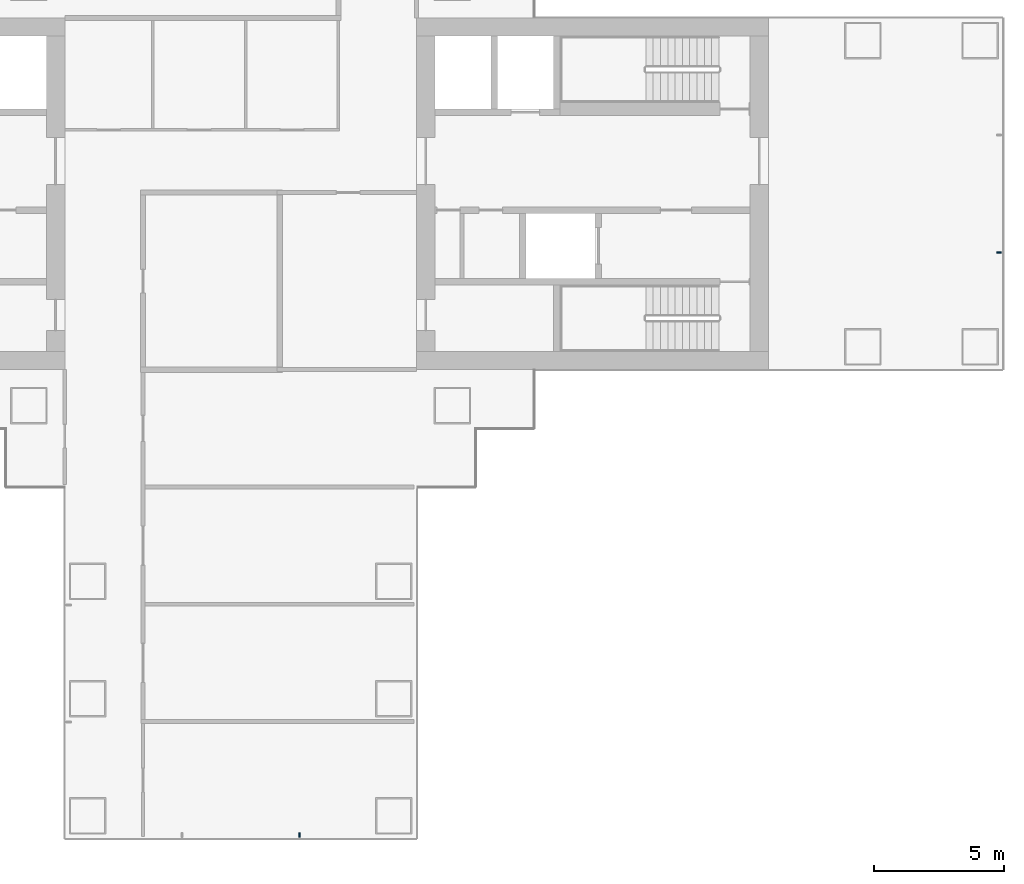
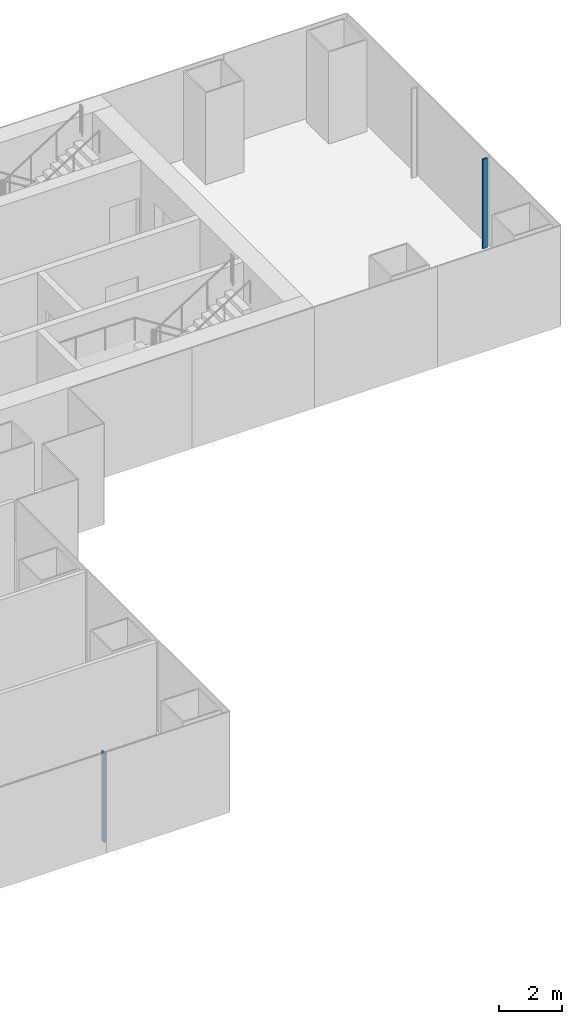
# One storey, part 7 of 21: 2 members, 2 elements without a shape of their own.
"""IFC4 building model written with IfcOpenShell, lengths in metres."""

from ifc_helpers import new_model, si_unit, direction, frame, origin, origin_2d, place, context, subcontext, project, spatial, rectangle, extrude, material, layer, layer_set, material_profile, profile_set, type_object, element, aggregate, save


model = new_model("IFC4")

# Units and contexts
model_context = context("Model", 3, precision=1e-05, world=origin(), true_north=direction((0.0, 1.0)))
body_context = subcontext(model_context, "Body", "Model", "MODEL_VIEW")
ifc_project = project(units=[si_unit("LENGTHUNIT", "METRE"), si_unit("AREAUNIT", "SQUARE_METRE"), si_unit("VOLUMEUNIT", "CUBIC_METRE"), si_unit("PLANEANGLEUNIT", "RADIAN"), si_unit("MASSUNIT", "GRAM", prefix="KILO")], contexts=[model_context])

# Site, building, storey
site_placement = place(None, origin())
site = spatial("IfcSite", under=ifc_project, at=site_placement, CompositionType="ELEMENT")
building_placement = place(site_placement, origin())
building = spatial("IfcBuilding", under=site, at=building_placement, Name="Shamsa Quay Exchange Towers", CompositionType="ELEMENT")
storey_placement = place(building_placement, frame((0.0, 0.0, 42.0)))
storey = spatial("IfcBuildingStorey", under=building, at=storey_placement, Name="L08", CompositionType="ELEMENT", Elevation=42.0)

# Curtain wall, member
ifc_material = material(Name="Aluminium EN AW-6063 T6, black anodised", Category="aluminium")
ifc_layer = layer(ifc_material, 0.280029296875)
ifc_layer_set = layer_set([ifc_layer], Name="CW-1 UNITISED VISION GLASS")
curtain_wall_type = type_object("IfcCurtainWallType", Name="CW-1 UNITISED VISION GLASS", PredefinedType="NOTDEFINED", material=ifc_layer_set)
curtain_wall_1_placement = place(storey_placement, origin())
curtain_wall_1 = element("IfcCurtainWall", 1, at=curtain_wall_1_placement, inside=storey, type_object=curtain_wall_type, Name="CW1 T2-END-V- L08", PredefinedType="NOTDEFINED")
ifc_material_profile = material_profile(ifc_material, rectangle(XDim=0.179931640625, YDim=0.06005859375, at=origin_2d()), Name="MU60x180")
ifc_profile_set = profile_set([ifc_material_profile], Name="Aluminium EN AW-6063 T6, black anodised")
member_type = type_object("IfcMemberType", Name="CW1 MULLION 60x180", PredefinedType="MULLION", material=ifc_profile_set)
member_1_placement = place(storey_placement, frame((62.85009765625, -2.25, 0.0), z_axis=(0.0, 0.0, 1.0), x_axis=(-1.0, 0.0, 0.0)))
member_1 = element("IfcMember", 2, at=member_1_placement, type_object=member_type, Name="CW1 mullion", PredefinedType="MULLION", context=body_context, shape_type="SweptSolid", body=[
    extrude(rectangle(XDim=0.179931640625, YDim=0.06005859375, at=origin_2d()), origin(), (0.0, 0.0, 1.0), 3.449951171875),
])
aggregate(curtain_wall_1, [member_1])

curtain_wall_2_placement = place(storey_placement, origin())
curtain_wall_2 = element("IfcCurtainWall", 3, at=curtain_wall_2_placement, inside=storey, type_object=curtain_wall_type, Name="CW1 T2-END-U- L08", PredefinedType="NOTDEFINED")
member_2_placement = place(storey_placement, frame((36.0, -24.60009765625, 0.0), z_axis=(0.0, 0.0, 1.0), x_axis=(0.0, 1.0, 0.0)))
member_2 = element("IfcMember", 4, at=member_2_placement, type_object=member_type, Name="CW1 mullion", PredefinedType="MULLION", context=body_context, shape_type="SweptSolid", body=[
    extrude(rectangle(XDim=0.179931640625, YDim=0.06005859375, at=origin_2d()), origin(), (0.0, 0.0, 1.0), 3.449951171875),
])
aggregate(curtain_wall_2, [member_2])

save(model, "model.ifc")
